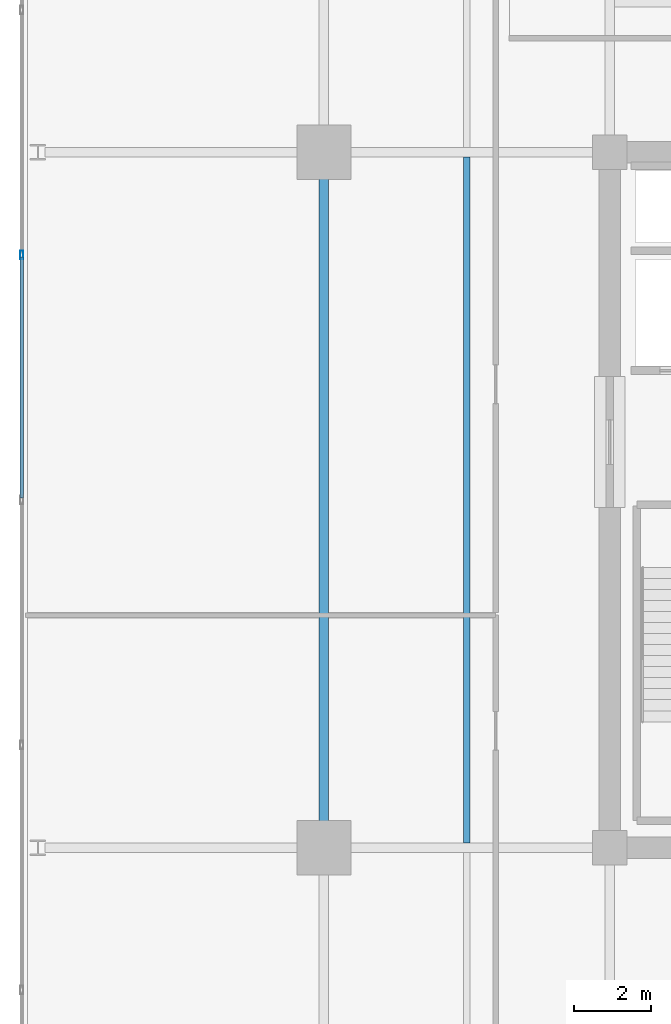
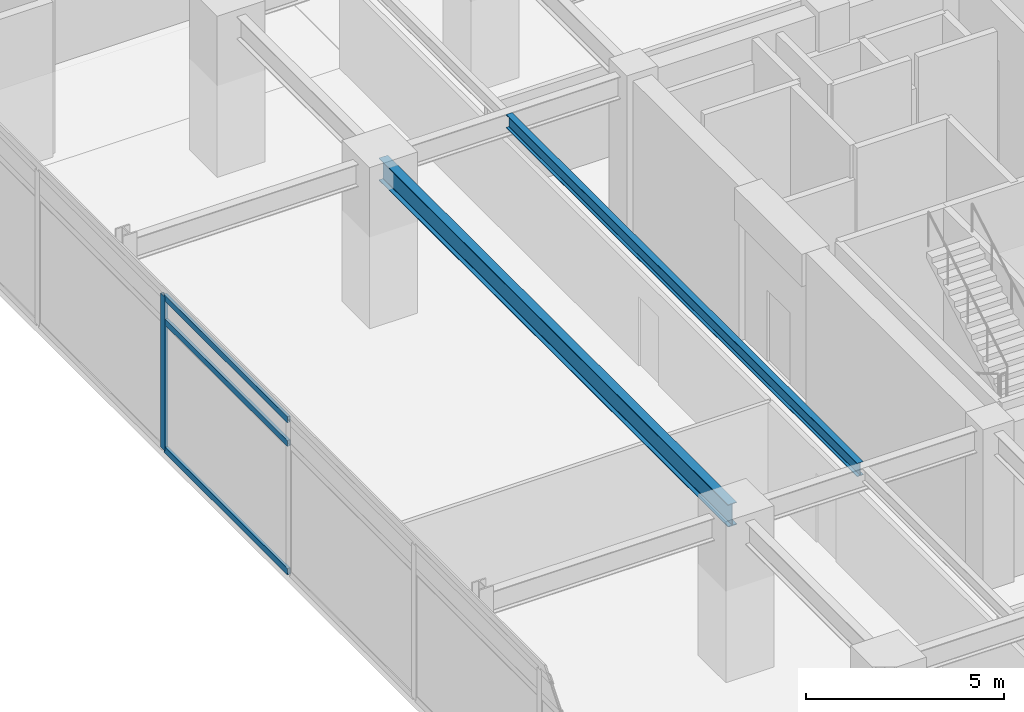
# One storey, part 5 of 21: 4 members, 2 beams, 1 element without a shape of its own.
"""IFC4 building model written with IfcOpenShell, lengths in metres."""

from ifc_helpers import new_model, si_unit, direction, frame, origin, origin_2d, place, context, subcontext, project, spatial, hollow_rectangle, i_section, extrude, material, material_profile, profile_set, type_object, element, aggregate, save


model = new_model("IFC4")

# Units and contexts
model_context = context("Model", 3, precision=1e-05, world=origin(), true_north=direction((0.0, 1.0)))
body_context = subcontext(model_context, "Body", "Model", "MODEL_VIEW")
ifc_project = project(units=[si_unit("LENGTHUNIT", "METRE"), si_unit("AREAUNIT", "SQUARE_METRE"), si_unit("VOLUMEUNIT", "CUBIC_METRE"), si_unit("PLANEANGLEUNIT", "RADIAN"), si_unit("MASSUNIT", "GRAM", prefix="KILO")], contexts=[model_context])

# Site, building, storey
site_placement = place(None, origin())
site = spatial("IfcSite", under=ifc_project, at=site_placement, CompositionType="ELEMENT")
building_placement = place(site_placement, origin())
building = spatial("IfcBuilding", under=site, at=building_placement, Name="Kovane Verandah Tower", CompositionType="ELEMENT")
storey_placement = place(building_placement, frame((0.0, 0.0, 238.199951171875)))
storey = spatial("IfcBuildingStorey", under=building, at=storey_placement, Name="L55", CompositionType="ELEMENT", Elevation=238.199951171875)

# Beam
ifc_material_1 = material(Name="Steel S355", Category="steel")
ifc_material_profile_1 = material_profile(ifc_material_1, i_section(OverallWidth=0.255859375, OverallDepth=0.69287109375, WebThickness=0.014404296875, FlangeThickness=0.023681640625, FilletRadius=0.01513671875, at=origin_2d()), Name="UB686x254x170")
ifc_profile_set_1 = profile_set([ifc_material_profile_1], Name="Steel S355")
beam_type_1 = type_object("IfcBeamType", Name="BM-UB686x170", PredefinedType="BEAM", material=ifc_profile_set_1)
beam_1_placement = place(storey_placement, frame((21.60009765625, 18.679931640625, 4.438720703125), z_axis=(0.0, 1.0, 0.0), x_axis=(-1.0, 0.0, 0.0)))
element("IfcBeam", 1, at=beam_1_placement, inside=storey, type_object=beam_type_1, Name="L55 Primary Tower Girder G-RW2", PredefinedType="BEAM", context=body_context, shape_type="SweptSolid", body=[
    extrude(i_section(OverallWidth=0.255859375, OverallDepth=0.69287109375, WebThickness=0.014404296875, FlangeThickness=0.023681640625, FilletRadius=0.01513671875, at=origin_2d()), origin(), (0.0, 0.0, 1.0), 17.64013671875),
])

# Curtain wall, members
ifc_material_2 = material(Name="Champagne Anodised Aluminium Frame with Low-E Clear Laminated Glass", Category="aluminium")
curtain_wall_type = type_object("IfcCurtainWallType", Name="CW-SYS-03-MID", PredefinedType="NOTDEFINED", material=ifc_material_2)
curtain_wall_placement = place(storey_placement, origin())
curtain_wall = element("IfcCurtainWall", 2, at=curtain_wall_placement, inside=storey, type_object=curtain_wall_type, Name="L55 W Unitised Curtain Wall", PredefinedType="NOTDEFINED")
ifc_material_3 = material(Name="Champagne Anodised Aluminium 6063-T6", Category="aluminium")
ifc_material_profile_2 = material_profile(ifc_material_3, hollow_rectangle(XDim=0.0849609375, YDim=0.22998046875, WallThickness=0.00390625, at=origin_2d()), Name="AL85x230x4")
ifc_profile_set_2 = profile_set([ifc_material_profile_2], Name="Champagne Anodised Aluminium 6063-T6")
member_type_1 = type_object("IfcMemberType", Name="CW-MUL-85x230", PredefinedType="MULLION", material=ifc_profile_set_2)
member_1_placement = place(storey_placement, frame((13.779296875, 33.841064453125, 0.02001953125), z_axis=(0.0, 0.0, 1.0), x_axis=(-1.0, 0.0, 0.0)))
member_1 = element("IfcMember", 3, at=member_1_placement, type_object=member_type_1, Name="L55 W Unitised Curtain Wall Mullion 3", PredefinedType="MULLION", context=body_context, shape_type="SweptSolid", body=[
    extrude(hollow_rectangle(XDim=0.0849609375, YDim=0.22998046875, WallThickness=0.00390625, at=origin_2d()), origin(), (0.0, 0.0, 1.0), 4.7451171875),
])
ifc_material_profile_3 = material_profile(ifc_material_3, hollow_rectangle(XDim=0.0849609375, YDim=0.18994140625, WallThickness=0.00390625, at=origin_2d()), Name="AL85x190x4")
ifc_profile_set_3 = profile_set([ifc_material_profile_3], Name="Champagne Anodised Aluminium 6063-T6")
member_type_2 = type_object("IfcMemberType", Name="CW-TRN-85x190", PredefinedType="USERDEFINED", material=ifc_profile_set_3)
member_2_placement = place(storey_placement, frame((13.779296875, 33.791015625, 0.050048828125), z_axis=(0.0, -1.0, 0.0), x_axis=(1.0, 0.0, 0.0)))
member_2 = element("IfcMember", 4, at=member_2_placement, type_object=member_type_2, Name="L55 W Unitised Curtain Wall Transom TB Bay 3", ObjectType="TRANSOM", PredefinedType="USERDEFINED", context=body_context, shape_type="SweptSolid", body=[
    extrude(hollow_rectangle(XDim=0.0849609375, YDim=0.18994140625, WallThickness=0.00390625, at=origin_2d()), origin(), (0.0, 0.0, 1.0), 6.240966796875),
])
member_3_placement = place(storey_placement, frame((13.779296875, 33.791015625, 4.005126953125), z_axis=(0.0, -1.0, 0.0), x_axis=(1.0, 0.0, 0.0)))
member_3 = element("IfcMember", 5, at=member_3_placement, type_object=member_type_2, Name="L55 W Unitised Curtain Wall Transom TM Bay 3", ObjectType="TRANSOM", PredefinedType="USERDEFINED", context=body_context, shape_type="SweptSolid", body=[
    extrude(hollow_rectangle(XDim=0.0849609375, YDim=0.18994140625, WallThickness=0.00390625, at=origin_2d()), origin(), (0.0, 0.0, 1.0), 6.240966796875),
])
member_4_placement = place(storey_placement, frame((13.779296875, 33.791015625, 4.735107421875), z_axis=(0.0, -1.0, 0.0), x_axis=(1.0, 0.0, 0.0)))
member_4 = element("IfcMember", 6, at=member_4_placement, type_object=member_type_2, Name="L55 W Unitised Curtain Wall Transom TT Bay 3", ObjectType="TRANSOM", PredefinedType="USERDEFINED", context=body_context, shape_type="SweptSolid", body=[
    extrude(hollow_rectangle(XDim=0.0849609375, YDim=0.18994140625, WallThickness=0.00390625, at=origin_2d()), origin(), (0.0, 0.0, 1.0), 6.240966796875),
])
aggregate(curtain_wall, [member_1, member_2, member_3, member_4])

# Beam
ifc_material_profile_4 = material_profile(ifc_material_1, i_section(OverallWidth=0.179443359375, OverallDepth=0.412841796875, WebThickness=0.009521484375, FlangeThickness=0.01611328125, FilletRadius=0.01025390625, at=origin_2d()), Name="UB406x178x74")
ifc_profile_set_4 = profile_set([ifc_material_profile_4], Name="Steel S355")
beam_type_2 = type_object("IfcBeamType", Name="JST-UB406x74", PredefinedType="JOIST", material=ifc_profile_set_4)
beam_2_placement = place(storey_placement, frame((25.300048828125, 18.6259765625, 4.57861328125), z_axis=(0.0, 1.0, 0.0), x_axis=(-1.0, 0.0, 0.0)))
element("IfcBeam", 7, at=beam_2_placement, inside=storey, type_object=beam_type_2, Name="L55 Secondary Composite Joist J-W1", PredefinedType="JOIST", context=body_context, shape_type="SweptSolid", body=[
    extrude(i_section(OverallWidth=0.179443359375, OverallDepth=0.412841796875, WebThickness=0.009521484375, FlangeThickness=0.01611328125, FilletRadius=0.01025390625, at=origin_2d()), origin(), (0.0, 0.0, 1.0), 17.748046875),
])

save(model, "model.ifc")
